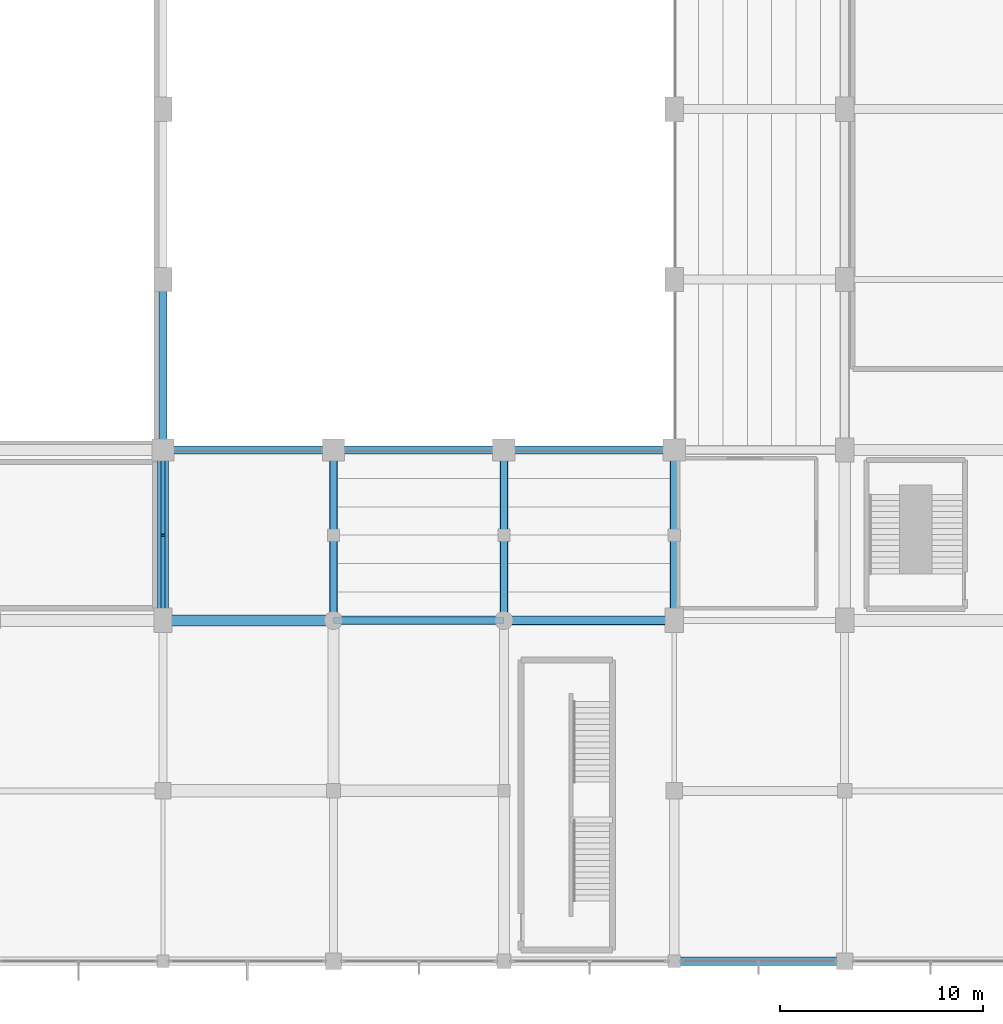
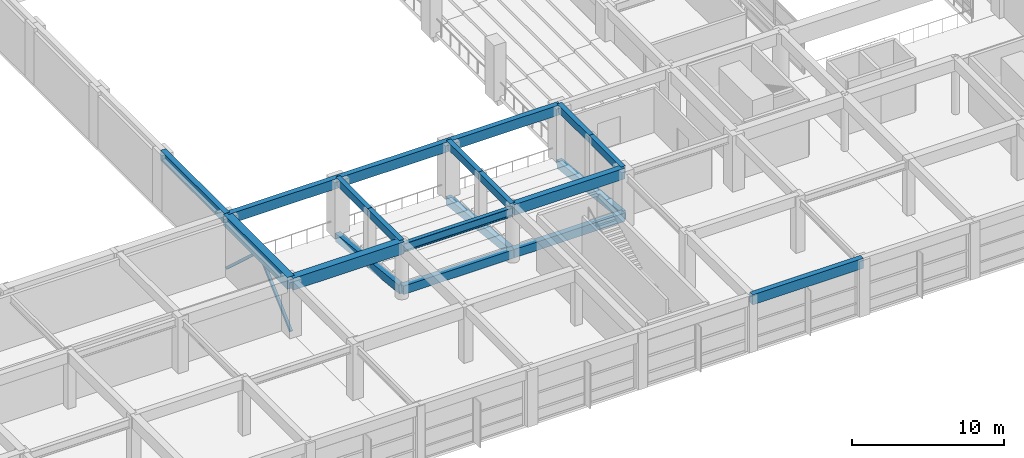
# One storey, part 21 of 62: 23 beams, 2 members.
"""IFC4 building model written with IfcOpenShell, lengths in metres."""

from ifc_helpers import new_model, si_unit, direction, frame, origin, origin_2d, place, context, subcontext, project, spatial, rectangle, hollow_rectangle, i_section, extrude, material, material_profile, profile_set, type_object, element, save


model = new_model("IFC4")

# Units and contexts
model_context = context("Model", 3, precision=1e-05, world=origin(), true_north=direction((0.0, 1.0)))
body_context = subcontext(model_context, "Body", "Model", "MODEL_VIEW")
ifc_project = project(units=[si_unit("LENGTHUNIT", "METRE"), si_unit("AREAUNIT", "SQUARE_METRE"), si_unit("VOLUMEUNIT", "CUBIC_METRE"), si_unit("PLANEANGLEUNIT", "RADIAN"), si_unit("MASSUNIT", "GRAM", prefix="KILO")], contexts=[model_context])

# Site, building, storey
site_placement = place(None, origin())
site = spatial("IfcSite", under=ifc_project, at=site_placement, CompositionType="ELEMENT")
building_placement = place(site_placement, origin())
building = spatial("IfcBuilding", under=site, at=building_placement, Name="Xuanlan Plaza Opera House", CompositionType="ELEMENT")
storey_placement = place(building_placement, frame((0.0, 0.0, 14.39990234375)))
storey = spatial("IfcBuildingStorey", under=building, at=storey_placement, Name="L03", CompositionType="ELEMENT", Elevation=14.39990234375)

# Beams
ifc_material_1 = material(Name="Concrete C50", Category="concrete")
ifc_material_profile_1 = material_profile(ifc_material_1, rectangle(XDim=0.550048828125, YDim=0.949951171875, at=origin_2d()), Name="RC-BM 550x950")
ifc_profile_set_1 = profile_set([ifc_material_profile_1], Name="Concrete C50")
beam_type_1 = type_object("IfcBeamType", Name="STR-BM-B-02", PredefinedType="BEAM", material=ifc_profile_set_1)
beam_1_placement = place(storey_placement, frame((67.199951171875, 33.60009765625, 4.025146484375), z_axis=(1.0, 0.0, 0.0), x_axis=(0.0, 1.0, 0.0)))
element("IfcBeam", 1, at=beam_1_placement, inside=storey, type_object=beam_type_1, Name="Grid Beam X L03 9-10/E", PredefinedType="BEAM", context=body_context, shape_type="SweptSolid", body=[
    extrude(rectangle(XDim=0.550048828125, YDim=0.949951171875, at=origin_2d()), origin(), (0.0, 0.0, 1.0), 8.400146484375),
])
beam_2_placement = place(storey_placement, frame((67.199951171875, 33.60009765625, 4.025146484375), z_axis=(0.0, 1.0, 0.0), x_axis=(-1.0, 0.0, 0.0)))
element("IfcBeam", 2, at=beam_2_placement, inside=storey, type_object=beam_type_1, Name="Grid Beam Y L03 9/E-F", PredefinedType="BEAM", context=body_context, shape_type="SweptSolid", body=[
    extrude(rectangle(XDim=0.550048828125, YDim=0.949951171875, at=origin_2d()), origin(), (0.0, 0.0, 1.0), 8.39990234375),
])
ifc_material_2 = material(Name="Concrete C40", Category="concrete")
ifc_material_profile_2 = material_profile(ifc_material_2, rectangle(XDim=0.449951171875, YDim=0.85009765625, at=origin_2d()), Name="RC-BM 450x850")
ifc_profile_set_2 = profile_set([ifc_material_profile_2], Name="Concrete C40")
beam_type_2 = type_object("IfcBeamType", Name="STR-BM-B-04", PredefinedType="BEAM", material=ifc_profile_set_2)
beam_3_placement = place(storey_placement, frame((84.0, 33.60009765625, 4.0751953125), z_axis=(1.0, 0.0, 0.0), x_axis=(0.0, 1.0, 0.0)))
element("IfcBeam", 3, at=beam_3_placement, inside=storey, type_object=beam_type_2, Name="Grid Beam X L03 11-12/E", PredefinedType="BEAM", context=body_context, shape_type="SweptSolid", body=[
    extrude(rectangle(XDim=0.449951171875, YDim=0.85009765625, at=origin_2d()), origin(), (0.0, 0.0, 1.0), 8.39990234375),
])
ifc_material_profile_3 = material_profile(ifc_material_2, rectangle(XDim=0.35009765625, YDim=0.60009765625, at=origin_2d()), Name="RC-BM 350x600")
ifc_profile_set_3 = profile_set([ifc_material_profile_3], Name="Concrete C40")
beam_type_3 = type_object("IfcBeamType", Name="STR-BM-B-10", PredefinedType="BEAM", material=ifc_profile_set_3)
for number, where, z_axis, x_axis, name in (
    (4, (75.60009765625, 33.60009765625, 4.2001953125), (0.0, 1.0, 0.0), (-1.0, 0.0, 0.0), "Sub-Bay Beam Y L03 10/EA"),
    (5, (75.60009765625, 37.800048828125, 4.2001953125), (0.0, 1.0, 0.0), (-1.0, 0.0, 0.0), "Sub-Bay Beam Y L03 10/EB"),
    (6, (84.0, 33.60009765625, 4.2001953125), (0.0, 1.0, 0.0), (-1.0, 0.0, 0.0), "Sub-Bay Beam Y L03 11/EA"),
    (7, (84.0, 37.800048828125, 4.2001953125), (0.0, 1.0, 0.0), (-1.0, 0.0, 0.0), "Sub-Bay Beam Y L03 11/EB"),
    (8, (92.39990234375, 33.60009765625, 4.2001953125), (0.0, 1.0, 0.0), (-1.0, 0.0, 0.0), "Sub-Bay Beam Y L03 12/EA"),
    (9, (92.39990234375, 37.800048828125, 4.2001953125), (0.0, 1.0, 0.0), (-1.0, 0.0, 0.0), "Sub-Bay Beam Y L03 12/EB"),
):
    element("IfcBeam", number, at=place(storey_placement, frame(where, z_axis=z_axis, x_axis=x_axis)), inside=storey, type_object=beam_type_3, Name=name, PredefinedType="BEAM", context=body_context, shape_type="SweptSolid", body=[
        extrude(rectangle(XDim=0.35009765625, YDim=0.60009765625, at=origin_2d()), origin(), (0.0, 0.0, 1.0), 4.199951171875),
    ])
ifc_material_profile_4 = material_profile(ifc_material_2, rectangle(XDim=0.39990234375, YDim=0.659912109375, at=origin_2d()), Name="RC-RKR 400x660")
ifc_profile_set_4 = profile_set([ifc_material_profile_4], Name="Concrete C40")
beam_type_4 = type_object("IfcBeamType", Name="STR-BM-RK-04", PredefinedType="BEAM", material=ifc_profile_set_4)
for number, where, z_axis, x_axis, name in (
    (10, (75.60009765625, 42.0, -0.329833984375), (0.0, -0.994310247159, 0.106522919579), (1.0, 0.0, 0.0), "Side Vineyard Tier Raker L03 South X75A"),
    (11, (75.60009765625, 37.800048828125, 0.1201171875), (0.0, -0.994310247159, 0.106522919579), (1.0, 0.0, 0.0), "Side Vineyard Tier Raker L03 South X75B"),
    (12, (84.0, 42.0, -0.329833984375), (0.0, -0.994310247159, 0.106522919579), (1.0, 0.0, 0.0), "Side Vineyard Tier Raker L03 South X84A"),
    (13, (84.0, 37.800048828125, 0.1201171875), (0.0, -0.994310247159, 0.106522919579), (1.0, 0.0, 0.0), "Side Vineyard Tier Raker L03 South X84B"),
    (14, (92.39990234375, 42.0, -0.329833984375), (0.0, -0.994310247159, 0.106522919579), (1.0, 0.0, 0.0), "Side Vineyard Tier Raker L03 South X92A"),
    (15, (92.39990234375, 37.800048828125, 0.1201171875), (0.0, -0.994310247159, 0.106522919579), (1.0, 0.0, 0.0), "Side Vineyard Tier Raker L03 South X92B"),
):
    element("IfcBeam", number, at=place(storey_placement, frame(where, z_axis=z_axis, x_axis=x_axis)), inside=storey, type_object=beam_type_4, Name=name, PredefinedType="BEAM", context=body_context, shape_type="SweptSolid", body=[
        extrude(rectangle(XDim=0.39990234375, YDim=0.659912109375, at=origin_2d()), origin(), (0.0, 0.0, 1.0), 4.223876953125),
    ])
ifc_material_profile_5 = material_profile(ifc_material_2, rectangle(XDim=0.419921875, YDim=0.679931640625, at=origin_2d()), Name="RC-RKR 420x680")
ifc_profile_set_5 = profile_set([ifc_material_profile_5], Name="Concrete C40")
beam_type_5 = type_object("IfcBeamType", Name="STR-BM-RKH-04", PredefinedType="BEAM", material=ifc_profile_set_5)
for number, where, z_axis, x_axis, name in (
    (16, (75.60009765625, 33.60009765625, 0.56005859375), (1.0, 0.0, 0.0), (0.0, 1.0, 0.0), "Side Vineyard Tier Header Beam L03 South 1"),
    (17, (84.0, 33.60009765625, 0.56005859375), (1.0, 0.0, 0.0), (0.0, 1.0, 0.0), "Side Vineyard Tier Header Beam L03 South 2"),
):
    element("IfcBeam", number, at=place(storey_placement, frame(where, z_axis=z_axis, x_axis=x_axis)), inside=storey, type_object=beam_type_5, Name=name, PredefinedType="BEAM", context=body_context, shape_type="SweptSolid", body=[
        extrude(rectangle(XDim=0.419921875, YDim=0.679931640625, at=origin_2d()), origin(), (0.0, 0.0, 1.0), 8.39990234375),
    ])
ifc_material_3 = material(Name="Steel Q355B", Category="steel")
ifc_material_profile_6 = material_profile(ifc_material_3, i_section(OverallWidth=0.300048828125, OverallDepth=0.699951171875, WebThickness=0.012939453125, FlangeThickness=0.02392578125, FilletRadius=0.02392578125, at=origin_2d()), Name="HN 700x300x13x24")
ifc_profile_set_6 = profile_set([ifc_material_profile_6], Name="Steel Q355B")
beam_type_6 = type_object("IfcBeamType", Name="STR-BM-SB-03", PredefinedType="BEAM", material=ifc_profile_set_6)
beam_4_placement = place(storey_placement, frame((75.60009765625, 33.60009765625, 3.885009765625), z_axis=(1.0, 0.0, 0.0), x_axis=(0.0, 1.0, 0.0)))
element("IfcBeam", 18, at=beam_4_placement, inside=storey, type_object=beam_type_6, Name="Grid Beam X L03 10-11/E", PredefinedType="BEAM", context=body_context, shape_type="SweptSolid", body=[
    extrude(i_section(OverallWidth=0.300048828125, OverallDepth=0.699951171875, WebThickness=0.012939453125, FlangeThickness=0.02392578125, FilletRadius=0.02392578125, at=origin_2d()), origin(), (0.0, 0.0, 1.0), 8.39990234375),
])
ifc_material_profile_7 = material_profile(ifc_material_2, rectangle(XDim=0.39990234375, YDim=0.800048828125, at=origin_2d()), Name="RC-SPD 400x800")
ifc_profile_set_7 = profile_set([ifc_material_profile_7], Name="Concrete C40")
beam_type_7 = type_object("IfcBeamType", Name="STR-BM-SP-01", PredefinedType="SPANDREL", material=ifc_profile_set_7)
for number, where, z_axis, x_axis, name in (
    (19, (92.39990234375, 16.800048828125, 4.10009765625), (1.0, 0.0, 0.0), (0.0, 1.0, 0.0), "Grid Beam X L03 12-13/C"),
    (20, (67.199951171875, 42.0, 4.10009765625), (1.0, 0.0, 0.0), (0.0, 1.0, 0.0), "Grid Beam X L03 9-10/F"),
):
    element("IfcBeam", number, at=place(storey_placement, frame(where, z_axis=z_axis, x_axis=x_axis)), inside=storey, type_object=beam_type_7, Name=name, PredefinedType="SPANDREL", context=body_context, shape_type="SweptSolid", body=[
        extrude(rectangle(XDim=0.39990234375, YDim=0.800048828125, at=origin_2d()), origin(), (0.0, 0.0, 1.0), 8.400146484375),
    ])
for number, where, z_axis, x_axis, name in (
    (21, (75.60009765625, 42.0, 4.10009765625), (1.0, 0.0, 0.0), (0.0, 1.0, 0.0), "Grid Beam X L03 10-11/F"),
    (22, (84.0, 42.0, 4.10009765625), (1.0, 0.0, 0.0), (0.0, 1.0, 0.0), "Grid Beam X L03 11-12/F"),
    (23, (67.199951171875, 42.0, 4.10009765625), (0.0, 1.0, 0.0), (-1.0, 0.0, 0.0), "Grid Beam Y L03 9/F-G"),
):
    element("IfcBeam", number, at=place(storey_placement, frame(where, z_axis=z_axis, x_axis=x_axis)), inside=storey, type_object=beam_type_7, Name=name, PredefinedType="SPANDREL", context=body_context, shape_type="SweptSolid", body=[
        extrude(rectangle(XDim=0.39990234375, YDim=0.800048828125, at=origin_2d()), origin(), (0.0, 0.0, 1.0), 8.39990234375),
    ])

# Members
ifc_material_profile_8 = material_profile(ifc_material_3, hollow_rectangle(XDim=0.199951171875, YDim=0.199951171875, WallThickness=0.010009765625, at=origin_2d()), Name="SHS 200x200x10")
ifc_profile_set_8 = profile_set([ifc_material_profile_8], Name="Steel Q355B")
member_type = type_object("IfcMemberType", Name="STR-MEM-BR-07", PredefinedType="BRACE", material=ifc_profile_set_8)
for number, where, z_axis, x_axis, name in (
    (24, (67.199951171875, 33.60009765625, 0.10009765625), (0.0, 0.737141689437, 0.675738210918), (-1.0, 0.0, 0.0), "Stage Lateral Chevron Brace L03-2A"),
    (25, (67.199951171875, 42.0, 0.10009765625), (0.0, -0.737141689437, 0.675738210918), (1.0, 0.0, 0.0), "Stage Lateral Chevron Brace L03-2B"),
):
    element("IfcMember", number, at=place(storey_placement, frame(where, z_axis=z_axis, x_axis=x_axis)), inside=storey, type_object=member_type, Name=name, PredefinedType="BRACE", context=body_context, shape_type="SweptSolid", body=[
        extrude(hollow_rectangle(XDim=0.199951171875, YDim=0.199951171875, WallThickness=0.010009765625, at=origin_2d()), origin(), (0.0, 0.0, 1.0), 5.697509765625),
    ])

save(model, "model.ifc")
